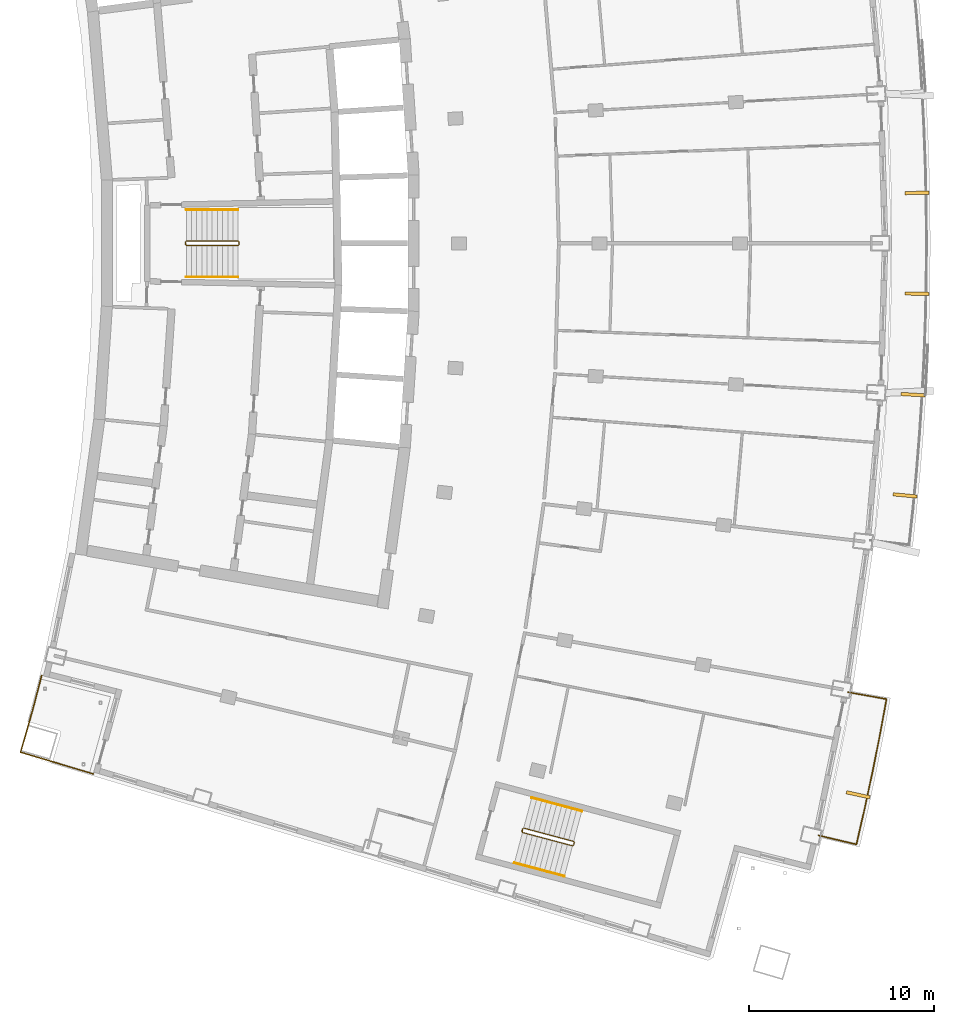
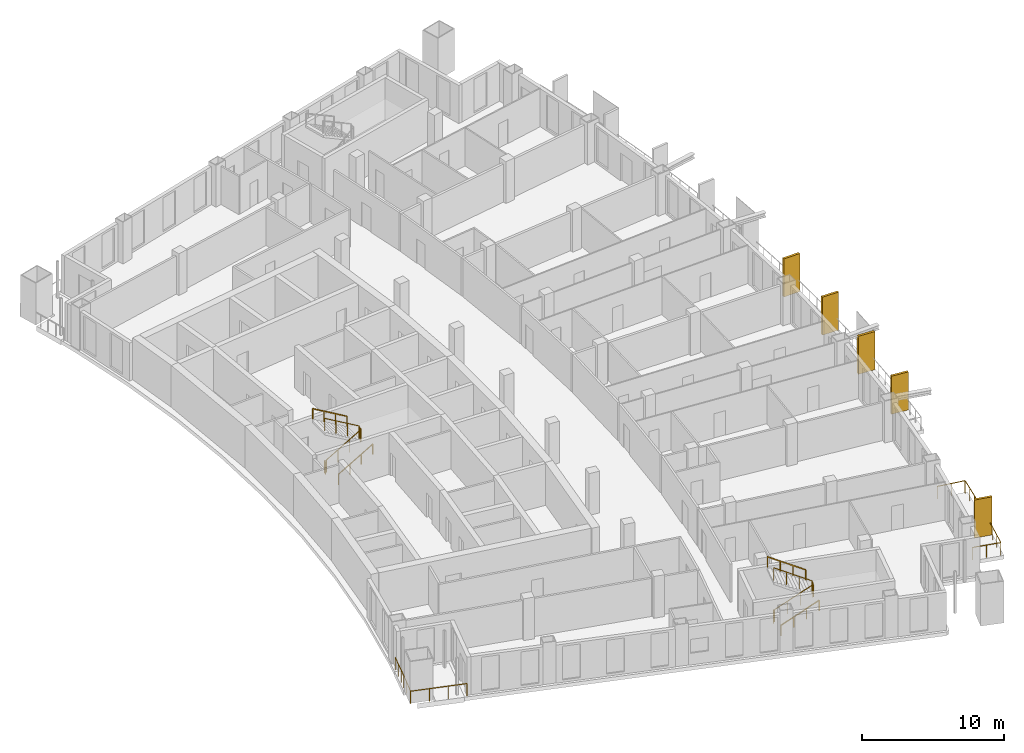
# One storey, part 17 of 19: 8 railings, 5 shading devices.
"""IFC4 building model written with IfcOpenShell, lengths in metres."""

from ifc_helpers import new_model, si_unit, direction, frame, origin, origin_with_axes, origin_2d, place, context, subcontext, project, spatial, rectangle, extrude, material, layer, layer_set, type_object, element, save


model = new_model("IFC4")

# Units and contexts
model_context = context("Model", 3, precision=1e-05, world=origin(), true_north=direction((0.0, 1.0)))
body_context = subcontext(model_context, "Body", "Model", "MODEL_VIEW")
ifc_project = project(units=[si_unit("LENGTHUNIT", "METRE"), si_unit("AREAUNIT", "SQUARE_METRE"), si_unit("VOLUMEUNIT", "CUBIC_METRE"), si_unit("PLANEANGLEUNIT", "RADIAN"), si_unit("MASSUNIT", "GRAM", prefix="KILO")], contexts=[model_context])

# Site, building, storey
site_placement = place(None, origin())
site = spatial("IfcSite", under=ifc_project, at=site_placement, CompositionType="ELEMENT")
building_placement = place(site_placement, origin())
building = spatial("IfcBuilding", under=site, at=building_placement, Name="Alderwake Tower", CompositionType="ELEMENT")
storey_placement = place(building_placement, frame((0.0, 0.0, 192.800048828125)))
storey = spatial("IfcBuildingStorey", under=building, at=storey_placement, Name="L47", CompositionType="ELEMENT", Elevation=192.800048828125)

# Railings
ifc_material_1 = material(Name="Stainless steel 316 rail and posts", Category="steel")
railing_type_1 = type_object("IfcRailingType", Name="Balcony guard 1100", PredefinedType="GUARDRAIL", material=ifc_material_1)
railing_1_placement = place(storey_placement, frame((55.256103515625, 28.9560546875, 0.0)))
element("IfcRailing", 1, at=railing_1_placement, inside=storey, type_object=railing_type_1, Name="Guard BF03", PredefinedType="GUARDRAIL", context=body_context, shape_type="SweptSolid", body=[
    extrude(rectangle(XDim=0.048095703125, YDim=0.048095703125, at=origin_2d()), frame((0.0, 0.0, 1.076171875), z_axis=(0.973057638874, -0.230561990427, 0.0), x_axis=(0.230561990427, 0.973057638874, 0.0)), (0.0, 0.0, 1.0), 2.099853515625),
    extrude(rectangle(XDim=0.048095703125, YDim=0.048095703125, at=origin_2d()), frame((2.043212890625, -0.484130859375, 1.076171875), z_axis=(0.223857490516, 0.974621887677, 0.0), x_axis=(-0.974621887677, 0.223857490516, 0.0)), (0.0, 0.0, 1.0), 1.95751953125),
    extrude(rectangle(XDim=0.048095703125, YDim=0.048095703125, at=origin_2d()), frame((2.4814453125, 1.423828125, 1.076171875), z_axis=(0.209877477425, 0.977727694437, 0.0), x_axis=(-0.977727694437, 0.209877477425, 0.0)), (0.0, 0.0, 1.0), 2.057861328125),
    extrude(rectangle(XDim=0.048095703125, YDim=0.048095703125, at=origin_2d()), frame((2.913330078125, 3.435791015625, 1.076171875), z_axis=(0.195659753975, 0.980671841481, 0.0), x_axis=(-0.980671841481, 0.195659753975, 0.0)), (0.0, 0.0, 1.0), 2.0576171875),
    extrude(rectangle(XDim=0.048095703125, YDim=0.048095703125, at=origin_2d()), frame((3.31591796875, 5.45361328125, 1.076171875), z_axis=(0.181562321204, 0.983379440256, 0.0), x_axis=(-0.983379440256, 0.181562321204, 0.0)), (0.0, 0.0, 1.0), 1.957763671875),
    extrude(rectangle(XDim=0.048095703125, YDim=0.048095703125, at=origin_2d()), frame((3.67138671875, 7.37890625, 1.076171875), z_axis=(-0.984614556243, 0.174740309131, 0.0), x_axis=(-0.174740309131, -0.984614556243, 0.0)), (0.0, 0.0, 1.0), 2.099853515625),
    extrude(rectangle(XDim=0.0419921875, YDim=0.0419921875, at=origin_2d()), frame((0.0, 0.0, 0.0), z_axis=(0.0, 0.0, 1.0), x_axis=(0.973057638874, -0.230561990427, 0.0)), (0.0, 0.0, 1.0), 1.052001953125),
    extrude(rectangle(XDim=0.0419921875, YDim=0.0419921875, at=origin_2d()), frame((1.021484375, -0.2421875, 0.0), z_axis=(0.0, 0.0, 1.0), x_axis=(0.973057638874, -0.230561990427, 0.0)), (0.0, 0.0, 1.0), 1.052001953125),
    extrude(rectangle(XDim=0.0419921875, YDim=0.0419921875, at=origin_2d()), frame((2.043212890625, -0.484130859375, 0.0), z_axis=(0.0, 0.0, 1.0), x_axis=(0.223857490516, 0.974621887677, 0.0)), (0.0, 0.0, 1.0), 1.052001953125),
    extrude(rectangle(XDim=0.0419921875, YDim=0.0419921875, at=origin_2d()), frame((2.26220703125, 0.4697265625, 0.0), z_axis=(0.0, 0.0, 1.0), x_axis=(0.223857490516, 0.974621887677, 0.0)), (0.0, 0.0, 1.0), 1.052001953125),
    extrude(rectangle(XDim=0.0419921875, YDim=0.0419921875, at=origin_2d()), frame((2.4814453125, 1.423828125, 0.0), z_axis=(0.0, 0.0, 1.0), x_axis=(0.209877477425, 0.977727694437, 0.0)), (0.0, 0.0, 1.0), 1.052001953125),
    extrude(rectangle(XDim=0.0419921875, YDim=0.0419921875, at=origin_2d()), frame((2.697265625, 2.4296875, 0.0), z_axis=(0.0, 0.0, 1.0), x_axis=(0.209877477425, 0.977727694437, 0.0)), (0.0, 0.0, 1.0), 1.052001953125),
    extrude(rectangle(XDim=0.0419921875, YDim=0.0419921875, at=origin_2d()), frame((2.913330078125, 3.435791015625, 0.0), z_axis=(0.0, 0.0, 1.0), x_axis=(0.195659753975, 0.980671841481, 0.0)), (0.0, 0.0, 1.0), 1.052001953125),
    extrude(rectangle(XDim=0.0419921875, YDim=0.0419921875, at=origin_2d()), frame((3.11474609375, 4.44482421875, 0.0), z_axis=(0.0, 0.0, 1.0), x_axis=(0.195659753975, 0.980671841481, 0.0)), (0.0, 0.0, 1.0), 1.052001953125),
    extrude(rectangle(XDim=0.0419921875, YDim=0.0419921875, at=origin_2d()), frame((3.31591796875, 5.45361328125, 0.0), z_axis=(0.0, 0.0, 1.0), x_axis=(0.181562321204, 0.983379440256, 0.0)), (0.0, 0.0, 1.0), 1.052001953125),
    extrude(rectangle(XDim=0.0419921875, YDim=0.0419921875, at=origin_2d()), frame((3.49365234375, 6.416259765625, 0.0), z_axis=(0.0, 0.0, 1.0), x_axis=(0.181562321204, 0.983379440256, 0.0)), (0.0, 0.0, 1.0), 1.052001953125),
    extrude(rectangle(XDim=0.0419921875, YDim=0.0419921875, at=origin_2d()), frame((3.67138671875, 7.37890625, 0.0), z_axis=(0.0, 0.0, 1.0), x_axis=(-0.984614556243, 0.174740309131, 0.0)), (0.0, 0.0, 1.0), 1.052001953125),
    extrude(rectangle(XDim=0.0419921875, YDim=0.0419921875, at=origin_2d()), frame((2.6376953125, 7.5625, 0.0), z_axis=(0.0, 0.0, 1.0), x_axis=(-0.984614556243, 0.174740309131, 0.0)), (0.0, 0.0, 1.0), 1.052001953125),
    extrude(rectangle(XDim=0.0419921875, YDim=0.0419921875, at=origin_2d()), frame((1.603759765625, 7.745849609375, 0.0), z_axis=(0.0, 0.0, 1.0), x_axis=(-0.984614556243, 0.174740309131, 0.0)), (0.0, 0.0, 1.0), 1.052001953125),
])
railing_2_placement = place(storey_placement, frame((13.210693359375, 37.612548828125, 0.0)))
element("IfcRailing", 2, at=railing_2_placement, inside=storey, type_object=railing_type_1, Name="Guard terrace RS", PredefinedType="GUARDRAIL", context=body_context, shape_type="SweptSolid", body=[
    extrude(rectangle(XDim=0.048095703125, YDim=0.048095703125, at=origin_2d()), frame((0.0, 0.0, 1.076171875), z_axis=(-0.251385381433, -0.967887075026, 0.0), x_axis=(0.967887075026, -0.251385381433, 0.0)), (0.0, 0.0, 1.0), 1.6015625),
    extrude(rectangle(XDim=0.048095703125, YDim=0.048095703125, at=origin_2d()), frame((-0.402587890625, -1.550048828125, 1.076171875), z_axis=(-0.266520638672, -0.963829211615, 0.0), x_axis=(0.963829211615, -0.266520638672, 0.0)), (0.0, 0.0, 1.0), 1.401611328125),
    extrude(rectangle(XDim=0.048095703125, YDim=0.048095703125, at=origin_2d()), frame((-0.776123046875, -2.90087890625, 1.076171875), z_axis=(-0.280093650878, -0.959972680204, 0.0), x_axis=(0.959972680204, -0.280093650878, 0.0)), (0.0, 0.0, 1.0), 1.30126953125),
    extrude(rectangle(XDim=0.048095703125, YDim=0.048095703125, at=origin_2d()), frame((-1.140625, -4.150146484375, 1.076171875), z_axis=(0.958066871889, -0.286544706789, 0.0), x_axis=(0.286544706789, 0.958066871889, 0.0)), (0.0, 0.0, 1.0), 4.099853515625),
    extrude(rectangle(XDim=0.0419921875, YDim=0.0419921875, at=origin_2d()), frame((0.0, 0.0, 0.0), z_axis=(0.0, 0.0, 1.0), x_axis=(-0.251385381433, -0.967887075026, 0.0)), (0.0, 0.0, 1.0), 1.052001953125),
    extrude(rectangle(XDim=0.0419921875, YDim=0.0419921875, at=origin_2d()), frame((-0.201171875, -0.77490234375, 0.0), z_axis=(0.0, 0.0, 1.0), x_axis=(-0.251385381433, -0.967887075026, 0.0)), (0.0, 0.0, 1.0), 1.052001953125),
    extrude(rectangle(XDim=0.0419921875, YDim=0.0419921875, at=origin_2d()), frame((-0.402587890625, -1.550048828125, 0.0), z_axis=(0.0, 0.0, 1.0), x_axis=(-0.266520638672, -0.963829211615, 0.0)), (0.0, 0.0, 1.0), 1.052001953125),
    extrude(rectangle(XDim=0.0419921875, YDim=0.0419921875, at=origin_2d()), frame((-0.58935546875, -2.2255859375, 0.0), z_axis=(0.0, 0.0, 1.0), x_axis=(-0.266520638672, -0.963829211615, 0.0)), (0.0, 0.0, 1.0), 1.052001953125),
    extrude(rectangle(XDim=0.0419921875, YDim=0.0419921875, at=origin_2d()), frame((-0.776123046875, -2.90087890625, 0.0), z_axis=(0.0, 0.0, 1.0), x_axis=(-0.280093650878, -0.959972680204, 0.0)), (0.0, 0.0, 1.0), 1.052001953125),
    extrude(rectangle(XDim=0.0419921875, YDim=0.0419921875, at=origin_2d()), frame((-1.140625, -4.150146484375, 0.0), z_axis=(0.0, 0.0, 1.0), x_axis=(0.958066871889, -0.286544706789, 0.0)), (0.0, 0.0, 1.0), 1.052001953125),
    extrude(rectangle(XDim=0.0419921875, YDim=0.0419921875, at=origin_2d()), frame((0.168701171875, -4.541748046875, 0.0), z_axis=(0.0, 0.0, 1.0), x_axis=(0.958066871889, -0.286544706789, 0.0)), (0.0, 0.0, 1.0), 1.052001953125),
    extrude(rectangle(XDim=0.0419921875, YDim=0.0419921875, at=origin_2d()), frame((1.47802734375, -4.933349609375, 0.0), z_axis=(0.0, 0.0, 1.0), x_axis=(0.958066871889, -0.286544706789, 0.0)), (0.0, 0.0, 1.0), 1.052001953125),
    extrude(rectangle(XDim=0.0419921875, YDim=0.0419921875, at=origin_2d()), frame((2.787353515625, -5.324951171875, 0.0), z_axis=(0.0, 0.0, 1.0), x_axis=(0.958066871889, -0.286544706789, 0.0)), (0.0, 0.0, 1.0), 1.052001953125),
])

# Shading devices
ifc_material_2 = material(Name="Bronze anodised aluminium", Category="aluminium")
ifc_layer = layer(ifc_material_2, 0.179931640625)
ifc_layer_set = layer_set([ifc_layer], Name="Facade fin 1300")
shading_device_type = type_object("IfcShadingDeviceType", Name="Facade fin 1300", PredefinedType="USERDEFINED", material=ifc_layer_set)
for number, where, z_axis, x_axis, name in (
    (3, (57.395751953125, 31.154541015625, 0.0), (0.0, 0.0, 1.0), (0.977210363881, -0.212273184185, 0.0), "Fin"),
    (4, (59.936279296875, 47.355224609375, 0.0), (0.0, 0.0, 1.0), (0.995279882363, -0.097046152751, 0.0), "Fin"),
    (5, (60.361083984375, 52.8076171875, 0.0), (0.0, 0.0, 1.0), (0.998301080988, -0.058266214038, 0.0), "Fin"),
    (6, (60.573486328125, 58.2724609375, 0.0), (0.0, 0.0, 1.0), (0.999811838809, -0.019398117887, 0.0), "Fin"),
    (7, (60.573486328125, 63.7275390625, 0.0), (0.0, 0.0, 1.0), (0.999811838809, 0.019398117887, 0.0), "Fin"),
):
    element("IfcShadingDevice", number, at=place(storey_placement, frame(where, z_axis=z_axis, x_axis=x_axis)), inside=storey, type_object=shading_device_type, Name=name, ObjectType="FIN", PredefinedType="USERDEFINED", context=body_context, shape_type="SweptSolid", body=[
        extrude(rectangle(XDim=1.300048828125, YDim=0.179931640625, at=origin_2d()), origin(), (0.0, 0.0, 1.0), 3.280029296875),
    ])

# Railings
ifc_material_3 = material(Name="Stainless steel guard", Category="steel")
railing_type_2 = type_object("IfcRailingType", Name="Stair guard 1100", PredefinedType="GUARDRAIL", material=ifc_material_3)
railing_3_placement = place(storey_placement, frame((20.989990234375, 60.925048828125, 0.0)))
element("IfcRailing", 8, at=railing_3_placement, inside=storey, type_object=railing_type_2, Name="L47 ST-B stair guard 1", PredefinedType="GUARDRAIL", context=body_context, shape_type="SweptSolid", body=[
    extrude(rectangle(XDim=0.048095703125, YDim=0.048095703125, at=origin_2d()), frame((0.0, 0.0, 1.076171875), z_axis=(0.0, 1.0, 0.0), x_axis=(-1.0, 0.0, 0.0)), (0.0, 0.0, 1.0), 0.14990234375),
    extrude(rectangle(XDim=0.048095703125, YDim=0.048095703125, at=origin_2d()), frame((0.0, 0.14990234375, 1.076171875), z_axis=(0.190199549216, -0.759870394187, 0.621627795), x_axis=(0.970072785993, 0.242814311512, 0.0)), (0.0, 0.0, 1.0), 0.26318359375),
    extrude(rectangle(XDim=0.048095703125, YDim=0.048095703125, at=origin_2d()), frame((0.050048828125, -0.050048828125, 1.23974609375), z_axis=(0.863360870873, 0.0, 0.504586966384), x_axis=(0.0, 1.0, 0.0)), (0.0, 0.0, 1.0), 3.2431640625),
    extrude(rectangle(XDim=0.048095703125, YDim=0.048095703125, at=origin_2d()), frame((2.85009765625, -0.050048828125, 2.8759765625), z_axis=(0.705375805398, 0.708833529934, 0.0), x_axis=(-0.708833529934, 0.705375805398, 0.0)), (0.0, 0.0, 1.0), 0.070556640625),
    extrude(rectangle(XDim=0.048095703125, YDim=0.048095703125, at=origin_2d()), frame((2.89990234375, 0.0, 2.8759765625), z_axis=(0.0, 1.0, 0.0), x_axis=(-1.0, 0.0, 0.0)), (0.0, 0.0, 1.0), 0.14990234375),
    extrude(rectangle(XDim=0.048095703125, YDim=0.048095703125, at=origin_2d()), frame((2.89990234375, 0.14990234375, 2.8759765625), z_axis=(-0.279546231943, 0.280916556609, 0.91811752648), x_axis=(-0.708833529934, -0.705375805398, 0.0)), (0.0, 0.0, 1.0), 0.17822265625),
    extrude(rectangle(XDim=0.048095703125, YDim=0.048095703125, at=origin_2d()), frame((2.85009765625, 0.199951171875, 3.03955078125), z_axis=(-0.863393664356, 0.0, 0.504530851732), x_axis=(0.0, -1.0, 0.0)), (0.0, 0.0, 1.0), 3.2431640625),
    extrude(rectangle(XDim=0.0419921875, YDim=0.0419921875, at=origin_2d()), frame((0.0, 0.0, 0.0), z_axis=(0.0, 0.0, 1.0), x_axis=(0.0, 1.0, 0.0)), (0.0, 0.0, 1.0), 1.052001953125),
    extrude(rectangle(XDim=0.0419921875, YDim=0.0419921875, at=origin_2d()), frame((0.0, 0.14990234375, 0.0), z_axis=(0.0, 0.0, 1.0), x_axis=(0.242814311512, -0.970072785993, 0.0)), (0.0, 0.0, 1.0), 1.052001953125),
    extrude(rectangle(XDim=0.0419921875, YDim=0.0419921875, at=origin_2d()), frame((0.050048828125, -0.050048828125, 0.16357421875), z_axis=(0.0, 0.0, 1.0), x_axis=(1.0, 0.0, 0.0)), (0.0, 0.0, 1.0), 1.052001953125),
    extrude(rectangle(XDim=0.0419921875, YDim=0.0419921875, at=origin_2d()), frame((0.9833984375, -0.050048828125, 0.708984375), z_axis=(0.0, 0.0, 1.0), x_axis=(1.0, 0.0, 0.0)), (0.0, 0.0, 1.0), 1.052001953125),
    extrude(rectangle(XDim=0.0419921875, YDim=0.0419921875, at=origin_2d()), frame((1.916748046875, -0.050048828125, 1.254638671875), z_axis=(0.0, 0.0, 1.0), x_axis=(1.0, 0.0, 0.0)), (0.0, 0.0, 1.0), 1.052001953125),
    extrude(rectangle(XDim=0.0419921875, YDim=0.0419921875, at=origin_2d()), frame((2.85009765625, -0.050048828125, 1.800048828125), z_axis=(0.0, 0.0, 1.0), x_axis=(0.705375805398, 0.708833529934, 0.0)), (0.0, 0.0, 1.0), 1.052001953125),
    extrude(rectangle(XDim=0.0419921875, YDim=0.0419921875, at=origin_2d()), frame((2.89990234375, 0.0, 1.800048828125), z_axis=(0.0, 0.0, 1.0), x_axis=(0.0, 1.0, 0.0)), (0.0, 0.0, 1.0), 1.052001953125),
    extrude(rectangle(XDim=0.0419921875, YDim=0.0419921875, at=origin_2d()), frame((2.89990234375, 0.14990234375, 1.800048828125), z_axis=(0.0, 0.0, 1.0), x_axis=(-0.705375805398, 0.708833529934, 0.0)), (0.0, 0.0, 1.0), 1.052001953125),
    extrude(rectangle(XDim=0.0419921875, YDim=0.0419921875, at=origin_2d()), frame((2.85009765625, 0.199951171875, 1.963623046875), z_axis=(0.0, 0.0, 1.0), x_axis=(-1.0, 0.0, 0.0)), (0.0, 0.0, 1.0), 1.052001953125),
    extrude(rectangle(XDim=0.0419921875, YDim=0.0419921875, at=origin_2d()), frame((1.916748046875, 0.199951171875, 2.509033203125), z_axis=(0.0, 0.0, 1.0), x_axis=(-1.0, 0.0, 0.0)), (0.0, 0.0, 1.0), 1.052001953125),
    extrude(rectangle(XDim=0.0419921875, YDim=0.0419921875, at=origin_2d()), frame((0.9833984375, 0.199951171875, 3.054443359375), z_axis=(0.0, 0.0, 1.0), x_axis=(-1.0, 0.0, 0.0)), (0.0, 0.0, 1.0), 1.052001953125),
    extrude(rectangle(XDim=0.0419921875, YDim=0.0419921875, at=origin_2d()), frame((0.050048828125, 0.199951171875, 3.599853515625), z_axis=(0.0, 0.0, 1.0), x_axis=(-1.0, 0.0, 0.0)), (0.0, 0.0, 1.0), 1.052001953125),
])
railing_4_placement = place(storey_placement, frame((39.1943359375, 29.17431640625, 0.0)))
element("IfcRailing", 9, at=railing_4_placement, inside=storey, type_object=railing_type_2, Name="L47 ST-C stair guard 1", PredefinedType="GUARDRAIL", context=body_context, shape_type="SweptSolid", body=[
    extrude(rectangle(XDim=0.048095703125, YDim=0.048095703125, at=origin_2d()), frame((0.0, 0.0, 1.076171875), z_axis=(0.257459803502, 0.966289009345, 0.0), x_axis=(-0.966289009345, 0.257459803502, 0.0)), (0.0, 0.0, 1.0), 0.14990234375),
    extrude(rectangle(XDim=0.048095703125, YDim=0.048095703125, at=origin_2d()), frame((0.03857421875, 0.144775390625, 1.076171875), z_axis=(-0.012062893862, -0.783160186125, 0.621702991355), x_axis=(0.999881397308, -0.015401016783, 0.0)), (0.0, 0.0, 1.0), 0.26318359375),
    extrude(rectangle(XDim=0.048095703125, YDim=0.048095703125, at=origin_2d()), frame((0.035400390625, -0.061279296875, 1.23974609375), z_axis=(0.834281824786, -0.222214197128, 0.504573768072), x_axis=(0.257380452725, 0.966310148221, 0.0)), (0.0, 0.0, 1.0), 3.2431640625),
    extrude(rectangle(XDim=0.048095703125, YDim=0.048095703125, at=origin_2d()), frame((2.7412109375, -0.781982421875, 2.8759765625), z_axis=(0.865031189262, 0.501718089772, 0.0), x_axis=(-0.501718089772, 0.865031189262, 0.0)), (0.0, 0.0, 1.0), 0.070556640625),
    extrude(rectangle(XDim=0.048095703125, YDim=0.048095703125, at=origin_2d()), frame((2.80224609375, -0.74658203125, 2.8759765625), z_axis=(0.257055032184, 0.966396766566, 0.0), x_axis=(-0.966396766566, 0.257055032184, 0.0)), (0.0, 0.0, 1.0), 0.150146484375),
    extrude(rectangle(XDim=0.048095703125, YDim=0.048095703125, at=origin_2d()), frame((2.8408203125, -0.6015625, 2.8759765625), z_axis=(-0.198625291617, 0.343827228937, 0.91778583023), x_axis=(-0.865898279276, -0.500220121494, 0.0)), (0.0, 0.0, 1.0), 0.17822265625),
    extrude(rectangle(XDim=0.048095703125, YDim=0.048095703125, at=origin_2d()), frame((2.805419921875, -0.540283203125, 3.03955078125), z_axis=(-0.834290631165, 0.222236594766, 0.504549342183), x_axis=(-0.257402139082, -0.966304371715, 0.0)), (0.0, 0.0, 1.0), 3.242919921875),
    extrude(rectangle(XDim=0.0419921875, YDim=0.0419921875, at=origin_2d()), frame((0.0, 0.0, 0.0), z_axis=(0.0, 0.0, 1.0), x_axis=(0.257459803502, 0.966289009345, 0.0)), (0.0, 0.0, 1.0), 1.052001953125),
    extrude(rectangle(XDim=0.0419921875, YDim=0.0419921875, at=origin_2d()), frame((0.03857421875, 0.144775390625, 0.0), z_axis=(0.0, 0.0, 1.0), x_axis=(-0.015401016783, -0.999881397308, 0.0)), (0.0, 0.0, 1.0), 1.052001953125),
    extrude(rectangle(XDim=0.0419921875, YDim=0.0419921875, at=origin_2d()), frame((0.035400390625, -0.061279296875, 0.16357421875), z_axis=(0.0, 0.0, 1.0), x_axis=(0.966310148221, -0.257380452725, 0.0)), (0.0, 0.0, 1.0), 1.052001953125),
    extrude(rectangle(XDim=0.0419921875, YDim=0.0419921875, at=origin_2d()), frame((0.937255859375, -0.301513671875, 0.708984375), z_axis=(0.0, 0.0, 1.0), x_axis=(0.966310148221, -0.257380452725, 0.0)), (0.0, 0.0, 1.0), 1.052001953125),
    extrude(rectangle(XDim=0.0419921875, YDim=0.0419921875, at=origin_2d()), frame((1.83935546875, -0.541748046875, 1.254638671875), z_axis=(0.0, 0.0, 1.0), x_axis=(0.966310148221, -0.257380452725, 0.0)), (0.0, 0.0, 1.0), 1.052001953125),
    extrude(rectangle(XDim=0.0419921875, YDim=0.0419921875, at=origin_2d()), frame((2.7412109375, -0.781982421875, 1.800048828125), z_axis=(0.0, 0.0, 1.0), x_axis=(0.865031189262, 0.501718089772, 0.0)), (0.0, 0.0, 1.0), 1.052001953125),
    extrude(rectangle(XDim=0.0419921875, YDim=0.0419921875, at=origin_2d()), frame((2.80224609375, -0.74658203125, 1.800048828125), z_axis=(0.0, 0.0, 1.0), x_axis=(0.257055032184, 0.966396766566, 0.0)), (0.0, 0.0, 1.0), 1.052001953125),
    extrude(rectangle(XDim=0.0419921875, YDim=0.0419921875, at=origin_2d()), frame((2.8408203125, -0.6015625, 1.800048828125), z_axis=(0.0, 0.0, 1.0), x_axis=(-0.500220121494, 0.865898279276, 0.0)), (0.0, 0.0, 1.0), 1.052001953125),
    extrude(rectangle(XDim=0.0419921875, YDim=0.0419921875, at=origin_2d()), frame((2.805419921875, -0.540283203125, 1.963623046875), z_axis=(0.0, 0.0, 1.0), x_axis=(-0.966304371715, 0.257402139082, 0.0)), (0.0, 0.0, 1.0), 1.052001953125),
    extrude(rectangle(XDim=0.0419921875, YDim=0.0419921875, at=origin_2d()), frame((1.903564453125, -0.300048828125, 2.509033203125), z_axis=(0.0, 0.0, 1.0), x_axis=(-0.966304371715, 0.257402139082, 0.0)), (0.0, 0.0, 1.0), 1.052001953125),
    extrude(rectangle(XDim=0.0419921875, YDim=0.0419921875, at=origin_2d()), frame((1.001708984375, -0.059814453125, 3.054443359375), z_axis=(0.0, 0.0, 1.0), x_axis=(-0.966304371715, 0.257402139082, 0.0)), (0.0, 0.0, 1.0), 1.052001953125),
    extrude(rectangle(XDim=0.0419921875, YDim=0.0419921875, at=origin_2d()), frame((0.099853515625, 0.180419921875, 3.599853515625), z_axis=(0.0, 0.0, 1.0), x_axis=(-0.966304371715, 0.257402139082, 0.0)), (0.0, 0.0, 1.0), 1.052001953125),
])
ifc_material_4 = material(Name="Stainless steel handrail", Category="steel")
railing_type_3 = type_object("IfcRailingType", Name="Stair handrail 900", PredefinedType="HANDRAIL", material=ifc_material_4)
railing_5_placement = place(storey_placement, frame((21.0400390625, 59.175048828125, 0.16357421875)))
element("IfcRailing", 10, at=railing_5_placement, inside=storey, type_object=railing_type_3, Name="L47 ST-B stair handrail 1", PredefinedType="HANDRAIL", context=body_context, shape_type="SweptSolid", body=[
    extrude(rectangle(XDim=0.048095703125, YDim=0.048095703125, at=origin_2d()), frame((0.0, 0.0, 0.8759765625), z_axis=(0.863360870873, 0.0, 0.504586966384), x_axis=(0.0, 1.0, 0.0)), (0.0, 0.0, 1.0), 3.2431640625),
    extrude(rectangle(XDim=0.0419921875, YDim=0.0419921875, at=origin_2d()), origin_with_axes(), (0.0, 0.0, 1.0), 0.851806640625),
    extrude(rectangle(XDim=0.0419921875, YDim=0.0419921875, at=origin_2d()), frame((0.933349609375, 0.0, 0.54541015625), z_axis=(0.0, 0.0, 1.0), x_axis=(1.0, 0.0, 0.0)), (0.0, 0.0, 1.0), 0.851806640625),
    extrude(rectangle(XDim=0.0419921875, YDim=0.0419921875, at=origin_2d()), frame((1.86669921875, 0.0, 1.091064453125), z_axis=(0.0, 0.0, 1.0), x_axis=(1.0, 0.0, 0.0)), (0.0, 0.0, 1.0), 0.851806640625),
    extrude(rectangle(XDim=0.0419921875, YDim=0.0419921875, at=origin_2d()), frame((2.800048828125, 0.0, 1.636474609375), z_axis=(0.0, 0.0, 1.0), x_axis=(1.0, 0.0, 0.0)), (0.0, 0.0, 1.0), 0.851806640625),
])
railing_6_placement = place(storey_placement, frame((23.840087890625, 62.824951171875, 1.963623046875)))
element("IfcRailing", 11, at=railing_6_placement, inside=storey, type_object=railing_type_3, Name="L47 ST-B stair handrail 2", PredefinedType="HANDRAIL", context=body_context, shape_type="SweptSolid", body=[
    extrude(rectangle(XDim=0.048095703125, YDim=0.048095703125, at=origin_2d()), frame((0.0, 0.0, 0.8759765625), z_axis=(-0.863393664356, 0.0, 0.504530851732), x_axis=(0.0, -1.0, 0.0)), (0.0, 0.0, 1.0), 3.2431640625),
    extrude(rectangle(XDim=0.0419921875, YDim=0.0419921875, at=origin_2d()), frame((0.0, 0.0, 0.0), z_axis=(0.0, 0.0, 1.0), x_axis=(-1.0, 0.0, 0.0)), (0.0, 0.0, 1.0), 0.851806640625),
    extrude(rectangle(XDim=0.0419921875, YDim=0.0419921875, at=origin_2d()), frame((-0.933349609375, 0.0, 0.54541015625), z_axis=(0.0, 0.0, 1.0), x_axis=(-1.0, 0.0, 0.0)), (0.0, 0.0, 1.0), 0.851806640625),
    extrude(rectangle(XDim=0.0419921875, YDim=0.0419921875, at=origin_2d()), frame((-1.86669921875, 0.0, 1.0908203125), z_axis=(0.0, 0.0, 1.0), x_axis=(-1.0, 0.0, 0.0)), (0.0, 0.0, 1.0), 0.851806640625),
    extrude(rectangle(XDim=0.0419921875, YDim=0.0419921875, at=origin_2d()), frame((-2.800048828125, 0.0, 1.63623046875), z_axis=(0.0, 0.0, 1.0), x_axis=(-1.0, 0.0, 0.0)), (0.0, 0.0, 1.0), 0.851806640625),
])
railing_7_placement = place(storey_placement, frame((38.792236328125, 27.47021484375, 0.16357421875)))
element("IfcRailing", 12, at=railing_7_placement, inside=storey, type_object=railing_type_3, Name="L47 ST-C stair handrail 1", PredefinedType="HANDRAIL", context=body_context, shape_type="SweptSolid", body=[
    extrude(rectangle(XDim=0.048095703125, YDim=0.048095703125, at=origin_2d()), frame((0.0, 0.0, 0.8759765625), z_axis=(0.834272895437, -0.222156588561, 0.504613898043), x_axis=(0.25732071773, 0.966326056891, 0.0)), (0.0, 0.0, 1.0), 3.242919921875),
    extrude(rectangle(XDim=0.0419921875, YDim=0.0419921875, at=origin_2d()), frame((0.0, 0.0, 0.0), z_axis=(0.0, 0.0, 1.0), x_axis=(0.966326056891, -0.25732071773, 0.0)), (0.0, 0.0, 1.0), 0.851806640625),
    extrude(rectangle(XDim=0.0419921875, YDim=0.0419921875, at=origin_2d()), frame((0.90185546875, -0.240234375, 0.54541015625), z_axis=(0.0, 0.0, 1.0), x_axis=(0.966326056891, -0.25732071773, 0.0)), (0.0, 0.0, 1.0), 0.851806640625),
    extrude(rectangle(XDim=0.0419921875, YDim=0.0419921875, at=origin_2d()), frame((1.8037109375, -0.480224609375, 1.091064453125), z_axis=(0.0, 0.0, 1.0), x_axis=(0.966326056891, -0.25732071773, 0.0)), (0.0, 0.0, 1.0), 0.851806640625),
    extrude(rectangle(XDim=0.0419921875, YDim=0.0419921875, at=origin_2d()), frame((2.70556640625, -0.720458984375, 1.636474609375), z_axis=(0.0, 0.0, 1.0), x_axis=(0.966326056891, -0.25732071773, 0.0)), (0.0, 0.0, 1.0), 0.851806640625),
])
railing_8_placement = place(storey_placement, frame((42.437255859375, 30.276611328125, 1.963623046875)))
element("IfcRailing", 13, at=railing_8_placement, inside=storey, type_object=railing_type_3, Name="L47 ST-C stair handrail 2", PredefinedType="HANDRAIL", context=body_context, shape_type="SweptSolid", body=[
    extrude(rectangle(XDim=0.048095703125, YDim=0.048095703125, at=origin_2d()), frame((0.0, 0.0, 0.8759765625), z_axis=(-0.834290631165, 0.222236594766, 0.504549342183), x_axis=(-0.257402139082, -0.966304371715, 0.0)), (0.0, 0.0, 1.0), 3.242919921875),
    extrude(rectangle(XDim=0.0419921875, YDim=0.0419921875, at=origin_2d()), frame((0.0, 0.0, 0.0), z_axis=(0.0, 0.0, 1.0), x_axis=(-0.966304371715, 0.257402139082, 0.0)), (0.0, 0.0, 1.0), 0.851806640625),
    extrude(rectangle(XDim=0.0419921875, YDim=0.0419921875, at=origin_2d()), frame((-0.90185546875, 0.240234375, 0.54541015625), z_axis=(0.0, 0.0, 1.0), x_axis=(-0.966304371715, 0.257402139082, 0.0)), (0.0, 0.0, 1.0), 0.851806640625),
    extrude(rectangle(XDim=0.0419921875, YDim=0.0419921875, at=origin_2d()), frame((-1.8037109375, 0.48046875, 1.0908203125), z_axis=(0.0, 0.0, 1.0), x_axis=(-0.966304371715, 0.257402139082, 0.0)), (0.0, 0.0, 1.0), 0.851806640625),
    extrude(rectangle(XDim=0.0419921875, YDim=0.0419921875, at=origin_2d()), frame((-2.70556640625, 0.720703125, 1.63623046875), z_axis=(0.0, 0.0, 1.0), x_axis=(-0.966304371715, 0.257402139082, 0.0)), (0.0, 0.0, 1.0), 0.851806640625),
])

save(model, "model.ifc")
